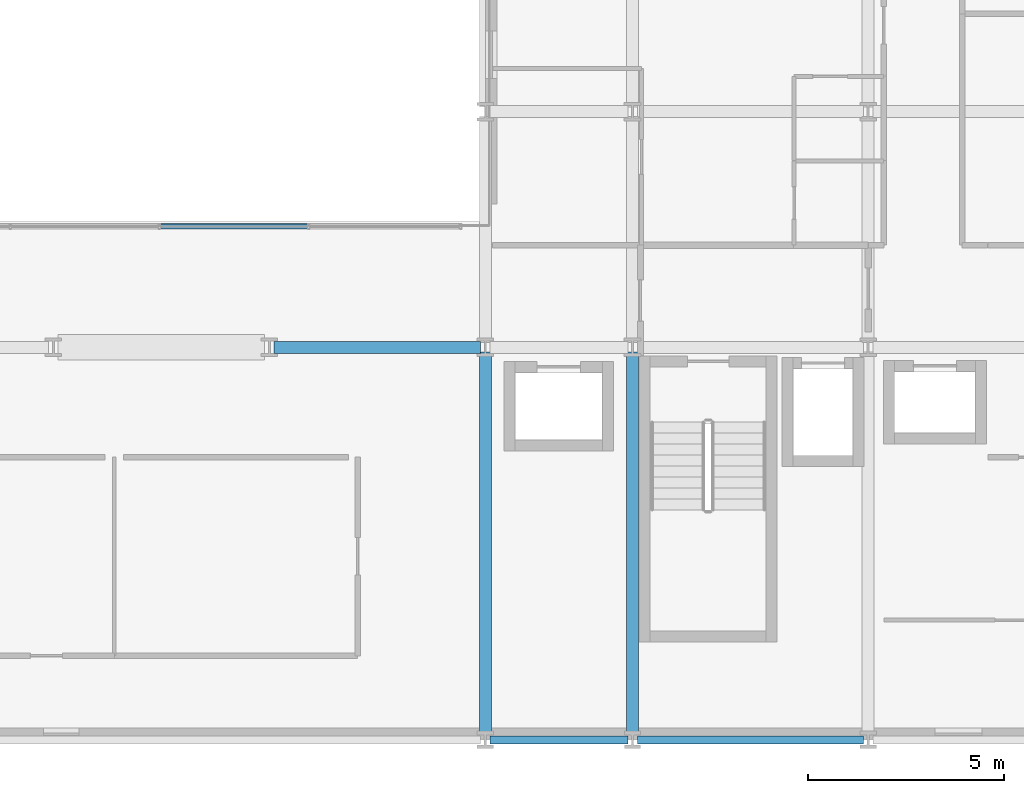
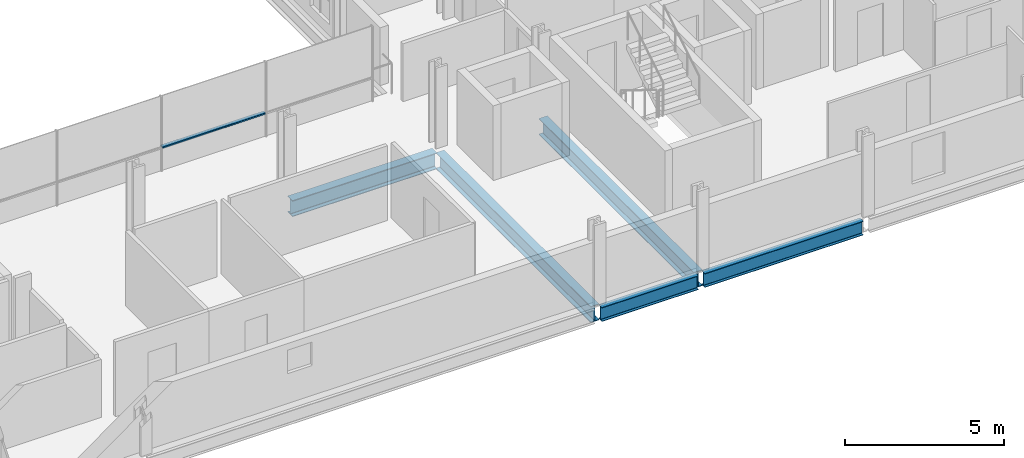
# One storey, part 12 of 38: 5 beams, 1 member, 1 element without a shape of its own.
"""IFC4 building model written with IfcOpenShell, lengths in metres."""

from ifc_helpers import new_model, si_unit, direction, frame, origin, origin_2d, place, context, subcontext, project, spatial, hollow_rectangle, i_section, extrude, material, layer, layer_set, material_profile, profile_set, type_object, element, aggregate, save


model = new_model("IFC4")

# Units and contexts
model_context = context("Model", 3, precision=1e-05, world=origin(), true_north=direction((0.0, 1.0)))
body_context = subcontext(model_context, "Body", "Model", "MODEL_VIEW")
ifc_project = project(units=[si_unit("LENGTHUNIT", "METRE"), si_unit("AREAUNIT", "SQUARE_METRE"), si_unit("VOLUMEUNIT", "CUBIC_METRE"), si_unit("PLANEANGLEUNIT", "RADIAN"), si_unit("MASSUNIT", "GRAM", prefix="KILO")], contexts=[model_context])

# Site, building, storey
site_placement = place(None, origin())
site = spatial("IfcSite", under=ifc_project, at=site_placement, CompositionType="ELEMENT")
building_placement = place(site_placement, origin())
building = spatial("IfcBuilding", under=site, at=building_placement, Name="Brevholm Reach", CompositionType="ELEMENT")
storey_placement = place(building_placement, frame((0.0, 0.0, 52.800048828125)))
storey = spatial("IfcBuildingStorey", under=building, at=storey_placement, Name="L14", CompositionType="ELEMENT", Elevation=52.800048828125)

# Beams
ifc_material_1 = material(Name="Structural Steel S355J2", Category="steel")
ifc_material_profile_1 = material_profile(ifc_material_1, i_section(OverallWidth=0.210693359375, OverallDepth=0.53955078125, WebThickness=0.01171875, FlangeThickness=0.018798828125, FilletRadius=0.0126953125, at=origin_2d()), Name="UKB 533x210x109")
ifc_profile_set_1 = profile_set([ifc_material_profile_1], Name="Structural Steel S355J2")
beam_type_1 = type_object("IfcBeamType", Name="BM-SP539", PredefinedType="SPANDREL", material=ifc_profile_set_1)
beam_1_placement = place(storey_placement, frame((38.3701171875, 0.0, -0.499755859375), z_axis=(1.0, 0.0, 0.0), x_axis=(0.0, 1.0, 0.0)))
element("IfcBeam", 1, at=beam_1_placement, inside=storey, type_object=beam_type_1, Name="L14 SP-01B Framing Beam", PredefinedType="SPANDREL", context=body_context, shape_type="SweptSolid", body=[
    extrude(i_section(OverallWidth=0.210693359375, OverallDepth=0.53955078125, WebThickness=0.01171875, FlangeThickness=0.018798828125, FilletRadius=0.0126953125, at=origin_2d()), origin(), (0.0, 0.0, 1.0), 3.509765625),
])
beam_2_placement = place(storey_placement, frame((42.1201171875, 0.0, -0.499755859375), z_axis=(1.0, 0.0, 0.0), x_axis=(0.0, 1.0, 0.0)))
element("IfcBeam", 2, at=beam_2_placement, inside=storey, type_object=beam_type_1, Name="L14 SP-01B Framing Beam", PredefinedType="SPANDREL", context=body_context, shape_type="SweptSolid", body=[
    extrude(i_section(OverallWidth=0.210693359375, OverallDepth=0.53955078125, WebThickness=0.01171875, FlangeThickness=0.018798828125, FilletRadius=0.0126953125, at=origin_2d()), origin(), (0.0, 0.0, 1.0), 5.759765625),
])
ifc_material_2 = material(Name="Structural Steel S355J2", Category="steel")
ifc_material_profile_2 = material_profile(ifc_material_2, i_section(OverallWidth=0.30712890625, OverallDepth=0.6201171875, WebThickness=0.01416015625, FlangeThickness=0.023681640625, FilletRadius=0.0166015625, at=origin_2d()), Name="UKB 610x305x179")
ifc_profile_set_2 = profile_set([ifc_material_profile_2], Name="Structural Steel S355J2")
beam_type_2 = type_object("IfcBeamType", Name="BM-UKB610H", PredefinedType="USERDEFINED", material=ifc_profile_set_2)
beam_3_placement = place(storey_placement, frame((32.8701171875, 10.0, -0.5400390625), z_axis=(1.0, 0.0, 0.0), x_axis=(0.0, 1.0, 0.0)))
element("IfcBeam", 3, at=beam_3_placement, inside=storey, type_object=beam_type_2, Name="L14 G-06 Framing Beam", ObjectType="GIRDER", PredefinedType="USERDEFINED", context=body_context, shape_type="SweptSolid", body=[
    extrude(i_section(OverallWidth=0.30712890625, OverallDepth=0.6201171875, WebThickness=0.01416015625, FlangeThickness=0.023681640625, FilletRadius=0.0166015625, at=origin_2d()), origin(), (0.0, 0.0, 1.0), 5.259765625),
])
for number, where, z_axis, x_axis, name in (
    (4, (38.25, 0.1201171875, -0.5400390625), (0.0, 1.0, 0.0), (-1.0, 0.0, 0.0), "L14 G-06 Framing Beam"),
    (5, (42.0, 0.1201171875, -0.5400390625), (0.0, 1.0, 0.0), (-1.0, 0.0, 0.0), "L14 G-06 Framing Beam"),
):
    element("IfcBeam", number, at=place(storey_placement, frame(where, z_axis=z_axis, x_axis=x_axis)), inside=storey, type_object=beam_type_2, Name=name, ObjectType="GIRDER", PredefinedType="USERDEFINED", context=body_context, shape_type="SweptSolid", body=[
        extrude(i_section(OverallWidth=0.30712890625, OverallDepth=0.6201171875, WebThickness=0.01416015625, FlangeThickness=0.023681640625, FilletRadius=0.0166015625, at=origin_2d()), origin(), (0.0, 0.0, 1.0), 9.759765625),
    ])

# Curtain wall, member
ifc_material_3 = material(Name="Dark Anodised Aluminium 6063-T6 and Solar-Control Glass", Category="aluminium")
ifc_layer = layer(ifc_material_3, 0.139892578125)
ifc_layer_set = layer_set([ifc_layer], Name="Dark Anodised Aluminium 6063-T6 and Solar-Control Glass")
curtain_wall_type = type_object("IfcCurtainWallType", Name="CW-02", PredefinedType="NOTDEFINED", material=ifc_layer_set)
curtain_wall_placement = place(storey_placement, origin())
curtain_wall = element("IfcCurtainWall", 6, at=curtain_wall_placement, inside=storey, type_object=curtain_wall_type, Name="L14 Curtain Wall CW-02", PredefinedType="NOTDEFINED")
ifc_material_4 = material(Name="Dark Anodised Aluminium 6063-T6", Category="aluminium")
ifc_material_profile_3 = material_profile(ifc_material_4, hollow_rectangle(XDim=0.06005859375, YDim=0.139892578125, WallThickness=0.0048828125, InnerFilletRadius=0.0048828125, OuterFilletRadius=0.010009765625, at=origin_2d()), Name="RHS 140x60x5")
ifc_profile_set_3 = profile_set([ifc_material_profile_3], Name="Dark Anodised Aluminium 6063-T6")
member_type = type_object("IfcMemberType", Name="CWT-140", PredefinedType="NOTDEFINED", material=ifc_profile_set_3)
member_placement = place(storey_placement, frame((29.97998046875, 13.080078125, 0.89990234375), z_axis=(1.0, 0.0, 0.0), x_axis=(0.0, 0.0, 1.0)))
member = element("IfcMember", 7, at=member_placement, type_object=member_type, Name="CT-140 Transom 3.1", ObjectType="TRANSOM", PredefinedType="USERDEFINED", context=body_context, shape_type="SweptSolid", body=[
    extrude(hollow_rectangle(XDim=0.06005859375, YDim=0.139892578125, WallThickness=0.0048828125, InnerFilletRadius=0.0048828125, OuterFilletRadius=0.010009765625, at=origin_2d()), origin(), (0.0, 0.0, 1.0), 3.739990234375),
])
aggregate(curtain_wall, [member])

save(model, "model.ifc")
